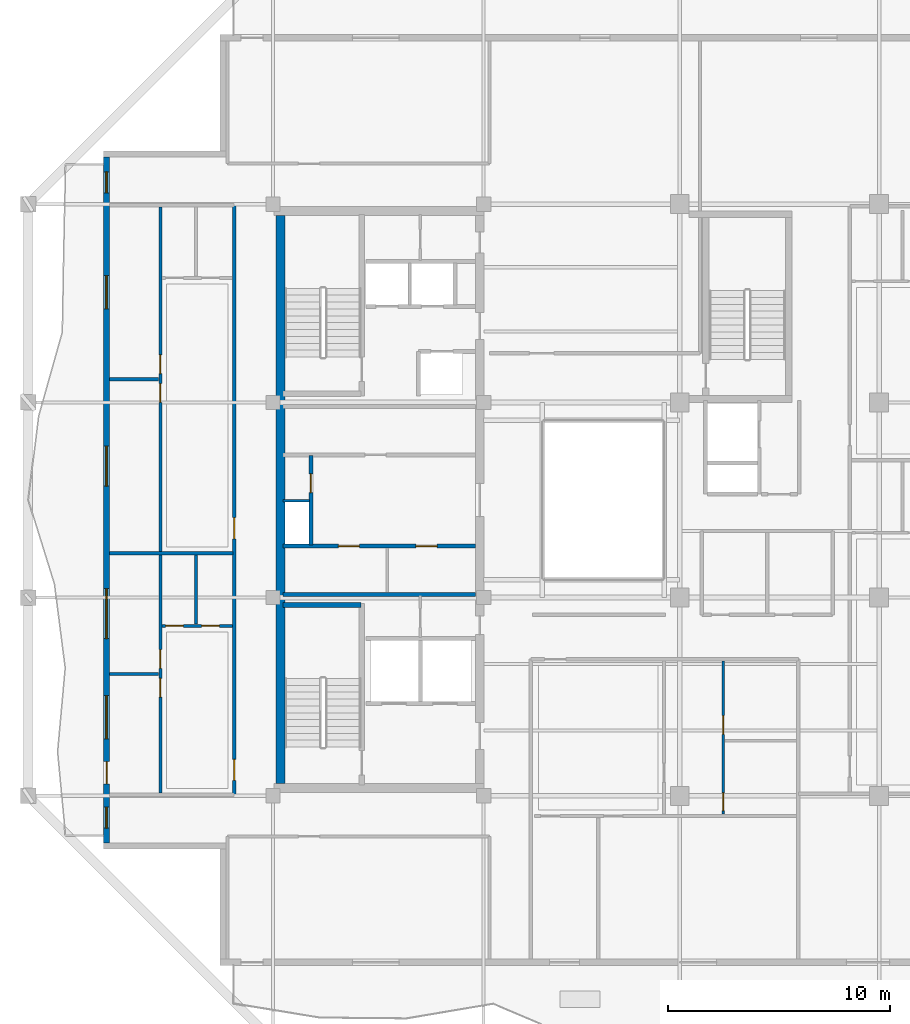
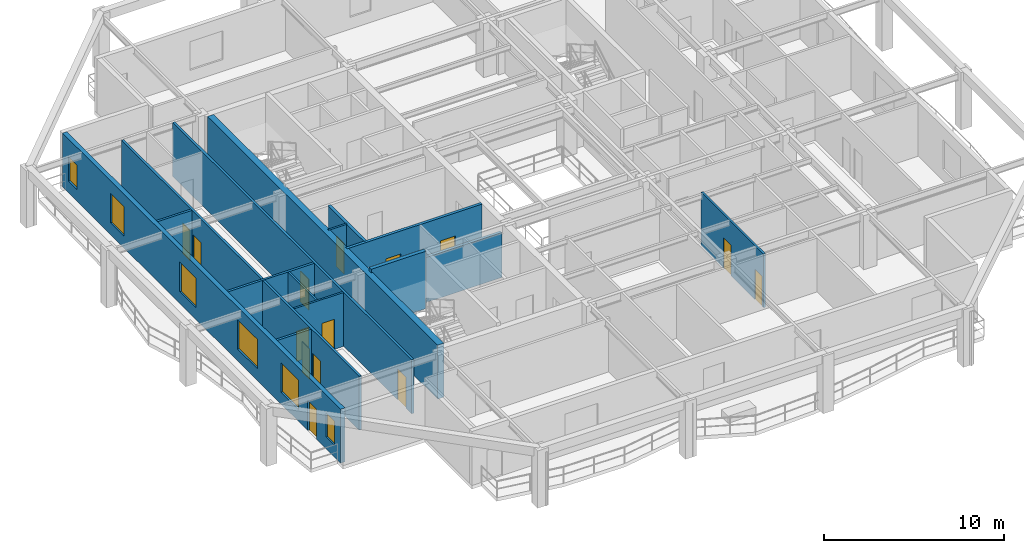
# One storey, part 3 of 12: 16 walls, 14 doors, 6 windows, 20 openings.
"""IFC4 building model written with IfcOpenShell, lengths in metres."""

from ifc_helpers import new_model, si_unit, direction, frame, frame_2d, origin, place, context, subcontext, project, spatial, rectangle, extrude, material, layer, layer_set, type_object, element, fill, save


model = new_model("IFC4")

# Units and contexts
model_context = context("Model", 3, precision=1e-05, world=origin(), true_north=direction((0.0, 1.0)))
body_context = subcontext(model_context, "Body", "Model", "MODEL_VIEW")
ifc_project = project(units=[si_unit("LENGTHUNIT", "METRE"), si_unit("AREAUNIT", "SQUARE_METRE"), si_unit("VOLUMEUNIT", "CUBIC_METRE"), si_unit("PLANEANGLEUNIT", "RADIAN"), si_unit("MASSUNIT", "GRAM", prefix="KILO")], contexts=[model_context])

# Site, building, storey
site_placement = place(None, origin())
site = spatial("IfcSite", under=ifc_project, at=site_placement, CompositionType="ELEMENT")
building_placement = place(site_placement, origin())
building = spatial("IfcBuilding", under=site, at=building_placement, Name="Kundavana Baori Tower", CompositionType="ELEMENT")
storey_placement = place(building_placement, frame((0.0, 0.0, 237.5)))
storey = spatial("IfcBuildingStorey", under=building, at=storey_placement, Name="L58", CompositionType="ELEMENT", Elevation=237.5)

# Walls
ifc_material_1 = material(Name="Concrete C50/60", Category="concrete")
ifc_layer_1 = layer(ifc_material_1, 0.39990234375, Name="WL-CORE-400")
ifc_layer_set_1 = layer_set([ifc_layer_1], Name="Concrete C50/60")
wall_type_1 = type_object("IfcWallType", Name="WL-CORE-400", PredefinedType="SHEAR", material=ifc_layer_set_1)
wall_1_placement = place(storey_placement, frame((15.7900390625, 15.81005859375, 0.0), z_axis=(0.0, 0.0, 1.0), x_axis=(0.0, 1.0, 0.0)))
element("IfcWall", 1, at=wall_1_placement, inside=storey, type_object=wall_type_1, Name="L58 Offset Core West Shear Wall", PredefinedType="SHEAR", context=body_context, shape_type="SweptSolid", body=[
    extrude(rectangle(XDim=25.6298828125, YDim=0.39990234375, at=frame_2d((12.81494140625, 0.0))), origin(), (0.0, 0.0, 1.0), 3.659912109375),
])
wall_2_placement = place(storey_placement, frame((15.89990234375, 23.860107421875, 0.0), z_axis=(0.0, 0.0, 1.0), x_axis=(1.0, 0.0, 0.0)))
element("IfcWall", 2, at=wall_2_placement, inside=storey, type_object=wall_type_1, Name="WL-L58-ST1-N", PredefinedType="SHEAR", context=body_context, shape_type="SweptSolid", body=[
    extrude(rectangle(XDim=3.52001953125, YDim=0.239990234375, at=frame_2d((1.760009765625, 0.0))), origin(), (0.0, 0.0, 1.0), 3.89990234375),
])

# Wall, openings, door, windows
ifc_material_2 = material(Name="Red-Buff Dholpur Sandstone Cladding on Concrete C40/50", Category="masonry")
ifc_layer_2 = layer(ifc_material_2, 0.280029296875, Name="WL-EXT-SAND-280")
ifc_layer_set_2 = layer_set([ifc_layer_2], Name="Red-Buff Dholpur Sandstone Cladding on Concrete C40/50")
wall_type_2 = type_object("IfcWallType", Name="WL-EXT-SAND-280", PredefinedType="STANDARD", material=ifc_layer_set_2)
wall_3_placement = place(storey_placement, frame((7.93994140625, 44.070068359375, 0.0), z_axis=(0.0, 0.0, 1.0), x_axis=(0.0, -1.0, 0.0)))
wall_3 = element("IfcWall", 3, at=wall_3_placement, inside=storey, type_object=wall_type_2, Name="L58 Exterior Insulated Facade Wall 10", PredefinedType="STANDARD", context=body_context, shape_type="SweptSolid", body=[
    extrude(rectangle(XDim=30.940185546875, YDim=0.280029296875, at=frame_2d((15.47021484375, 0.0))), origin(), (0.0, 0.0, 1.0), 3.659912109375),
])
opening_1_placement = place(wall_3_placement, frame((29.324951171875, 0.0, 0.800048828125)))
opening_1 = element("IfcOpeningElement", 4, at=opening_1_placement, cuts=wall_3, Name="Opening W-13", PredefinedType="OPENING", context=body_context, shape_type="SweptSolid", body=[
    extrude(rectangle(XDim=0.949951171875, YDim=1.64990234375, at=frame_2d((0.47509765625, 0.824951171875))), frame((0.0, 0.14990234375, 0.0), z_axis=(0.0, -1.0, 0.0), x_axis=(1.0, 0.0, 0.0)), (0.0, 0.0, 1.0), 0.300048828125),
])
opening_2_placement = place(wall_3_placement, frame((27.280029296875, 0.0, 0.0)))
opening_2 = element("IfcOpeningElement", 5, at=opening_2_placement, cuts=wall_3, Name="Opening BD-1", PredefinedType="OPENING", context=body_context, shape_type="SweptSolid", body=[
    extrude(rectangle(XDim=1.0, YDim=2.050048828125, at=frame_2d((0.5, 1.02490234375))), frame((0.0, 0.14990234375, 0.0), z_axis=(0.0, -1.0, 0.0), x_axis=(1.0, 0.0, 0.0)), (0.0, 0.0, 1.0), 0.300048828125),
])
opening_3_placement = place(wall_3_placement, frame((24.294921875, 0.0, 0.800048828125)))
opening_3 = element("IfcOpeningElement", 6, at=opening_3_placement, cuts=wall_3, Name="Opening W-09", PredefinedType="OPENING", context=body_context, shape_type="SweptSolid", body=[
    extrude(rectangle(XDim=1.949951171875, YDim=2.0, at=frame_2d((0.97509765625, 1.0))), frame((0.0, 0.14990234375, 0.0), z_axis=(0.0, -1.0, 0.0), x_axis=(1.0, 0.0, 0.0)), (0.0, 0.0, 1.0), 0.300048828125),
])
opening_4_placement = place(wall_3_placement, frame((19.469970703125, 0.0, 0.800048828125)))
opening_4 = element("IfcOpeningElement", 7, at=opening_4_placement, cuts=wall_3, Name="Opening W-10", PredefinedType="OPENING", context=body_context, shape_type="SweptSolid", body=[
    extrude(rectangle(XDim=2.25, YDim=2.0, at=frame_2d((1.125, 1.0))), frame((0.0, 0.14990234375, 0.0), z_axis=(0.0, -1.0, 0.0), x_axis=(1.0, 0.0, 0.0)), (0.0, 0.0, 1.0), 0.300048828125),
])
opening_5_placement = place(wall_3_placement, frame((13.044921875, 0.0, 0.800048828125)))
opening_5 = element("IfcOpeningElement", 8, at=opening_5_placement, cuts=wall_3, Name="Opening W-01", PredefinedType="OPENING", context=body_context, shape_type="SweptSolid", body=[
    extrude(rectangle(XDim=1.800048828125, YDim=2.0, at=frame_2d((0.89990234375, 1.0))), frame((0.0, 0.14990234375, 0.0), z_axis=(0.0, -1.0, 0.0), x_axis=(1.0, 0.0, 0.0)), (0.0, 0.0, 1.0), 0.300048828125),
])
opening_6_placement = place(wall_3_placement, frame((5.344970703125, 0.0, 0.800048828125)))
opening_6 = element("IfcOpeningElement", 9, at=opening_6_placement, cuts=wall_3, Name="Opening W-02", PredefinedType="OPENING", context=body_context, shape_type="SweptSolid", body=[
    extrude(rectangle(XDim=1.5, YDim=2.0, at=frame_2d((0.75, 1.0))), frame((0.0, 0.14990234375, 0.0), z_axis=(0.0, -1.0, 0.0), x_axis=(1.0, 0.0, 0.0)), (0.0, 0.0, 1.0), 0.300048828125),
])
opening_7_placement = place(wall_3_placement, frame((0.6650390625, 0.0, 0.800048828125)))
opening_7 = element("IfcOpeningElement", 10, at=opening_7_placement, cuts=wall_3, Name="Opening W-13", PredefinedType="OPENING", context=body_context, shape_type="SweptSolid", body=[
    extrude(rectangle(XDim=0.949951171875, YDim=1.64990234375, at=frame_2d((0.47509765625, 0.824951171875))), frame((0.0, 0.14990234375, 0.0), z_axis=(0.0, -1.0, 0.0), x_axis=(1.0, 0.0, 0.0)), (0.0, 0.0, 1.0), 0.300048828125),
])
ifc_material_3 = material(Name="Architectural Patinated Bronze Metalwork")
door_type_1 = type_object("IfcDoorType", Name="DR-EXT-LOG-1000", OperationType="NOTDEFINED", PredefinedType="DOOR", material=ifc_material_3)
door_1_placement = place(opening_2_placement, frame((1.0, 0.0, 0.0), z_axis=(0.0, 0.0, 1.0), x_axis=(-1.0, 0.0, 0.0)))
door_1 = element("IfcDoor", 11, at=door_1_placement, inside=storey, type_object=door_type_1, Name="L58 Loggia Balcony Access Door W", OperationType="SINGLE_SWING_LEFT", OverallHeight=2.050048828125, OverallWidth=1.0, PredefinedType="DOOR", context=body_context, shape_type="SweptSolid", body=[
    extrude(rectangle(XDim=1.0, YDim=2.050048828125, at=frame_2d((0.5, 1.02490234375))), frame((0.0, 0.02490234375, 0.0), z_axis=(0.0, -1.0, 0.0), x_axis=(1.0, 0.0, 0.0)), (0.0, 0.0, 1.0), 0.050048828125),
])
fill(opening_2, door_1)
ifc_material_4 = material(Name="Double-Glazed Solar-Control Low-E Insulated Glass", Category="glass")
window_type_1 = type_object("IfcWindowType", Name="WIN-LOG-1500x2000", PartitioningType="SINGLE_PANEL", PredefinedType="WINDOW", material=ifc_material_4)
window_1_placement = place(opening_6_placement, origin())
window_1 = element("IfcWindow", 12, at=window_1_placement, inside=storey, type_object=window_type_1, Name="L58 Recessed Loggia Window W-5", OverallHeight=2.0, OverallWidth=1.5, PartitioningType="SINGLE_PANEL", PredefinedType="WINDOW", context=body_context, shape_type="SweptSolid", body=[
    extrude(rectangle(XDim=1.5, YDim=2.0, at=frame_2d((0.75, 1.0))), frame((0.0, 0.030029296875, 0.0), z_axis=(0.0, -1.0, 0.0), x_axis=(1.0, 0.0, 0.0)), (0.0, 0.0, 1.0), 0.06005859375),
])
fill(opening_6, window_1)
ifc_material_5 = material(Name="Double-Glazed Solar-Control Low-E Insulated Glass", Category="glass")
window_type_2 = type_object("IfcWindowType", Name="WIN-LOG-1800x2000", PartitioningType="SINGLE_PANEL", PredefinedType="WINDOW", material=ifc_material_5)
window_2_placement = place(opening_5_placement, origin())
window_2 = element("IfcWindow", 13, at=window_2_placement, inside=storey, type_object=window_type_2, Name="L58 Recessed Loggia Window W-4", OverallHeight=2.0, OverallWidth=1.800048828125, PartitioningType="SINGLE_PANEL", PredefinedType="WINDOW", context=body_context, shape_type="SweptSolid", body=[
    extrude(rectangle(XDim=1.800048828125, YDim=2.0, at=frame_2d((0.89990234375, 1.0))), frame((0.0, 0.030029296875, 0.0), z_axis=(0.0, -1.0, 0.0), x_axis=(1.0, 0.0, 0.0)), (0.0, 0.0, 1.0), 0.06005859375),
])
fill(opening_5, window_2)
ifc_material_6 = material(Name="Double-Glazed Solar-Control Low-E Insulated Glass", Category="glass")
window_type_3 = type_object("IfcWindowType", Name="WIN-LOG-1950x2000", PartitioningType="SINGLE_PANEL", PredefinedType="WINDOW", material=ifc_material_6)
window_3_placement = place(opening_3_placement, origin())
window_3 = element("IfcWindow", 14, at=window_3_placement, inside=storey, type_object=window_type_3, Name="L58 Recessed Loggia Window W-2", OverallHeight=2.0, OverallWidth=1.949951171875, PartitioningType="SINGLE_PANEL", PredefinedType="WINDOW", context=body_context, shape_type="SweptSolid", body=[
    extrude(rectangle(XDim=1.949951171875, YDim=2.0, at=frame_2d((0.97509765625, 1.0))), frame((0.0, 0.030029296875, 0.0), z_axis=(0.0, -1.0, 0.0), x_axis=(1.0, 0.0, 0.0)), (0.0, 0.0, 1.0), 0.06005859375),
])
fill(opening_3, window_3)
ifc_material_7 = material(Name="Double-Glazed Solar-Control Low-E Insulated Glass", Category="glass")
window_type_4 = type_object("IfcWindowType", Name="WIN-LOG-2250x2000", PartitioningType="SINGLE_PANEL", PredefinedType="WINDOW", material=ifc_material_7)
window_4_placement = place(opening_4_placement, origin())
window_4 = element("IfcWindow", 15, at=window_4_placement, inside=storey, type_object=window_type_4, Name="L58 Recessed Loggia Window W-3", OverallHeight=2.0, OverallWidth=2.25, PartitioningType="SINGLE_PANEL", PredefinedType="WINDOW", context=body_context, shape_type="SweptSolid", body=[
    extrude(rectangle(XDim=2.25, YDim=2.0, at=frame_2d((1.125, 1.0))), frame((0.0, 0.030029296875, 0.0), z_axis=(0.0, -1.0, 0.0), x_axis=(1.0, 0.0, 0.0)), (0.0, 0.0, 1.0), 0.06005859375),
])
fill(opening_4, window_4)
ifc_material_8 = material(Name="Double-Glazed Solar-Control Low-E Insulated Glass", Category="glass")
window_type_5 = type_object("IfcWindowType", Name="WIN-LOG-950x1650", PartitioningType="SINGLE_PANEL", PredefinedType="WINDOW", material=ifc_material_8)
window_5_placement = place(opening_1_placement, origin())
window_5 = element("IfcWindow", 16, at=window_5_placement, inside=storey, type_object=window_type_5, Name="L58 Recessed Loggia Window W-1", OverallHeight=1.64990234375, OverallWidth=0.949951171875, PartitioningType="SINGLE_PANEL", PredefinedType="WINDOW", context=body_context, shape_type="SweptSolid", body=[
    extrude(rectangle(XDim=0.949951171875, YDim=1.64990234375, at=frame_2d((0.47509765625, 0.824951171875))), frame((0.0, 0.030029296875, 0.0), z_axis=(0.0, -1.0, 0.0), x_axis=(1.0, 0.0, 0.0)), (0.0, 0.0, 1.0), 0.06005859375),
])
fill(opening_1, window_5)
window_6_placement = place(opening_7_placement, origin())
window_6 = element("IfcWindow", 17, at=window_6_placement, inside=storey, type_object=window_type_5, Name="L58 Recessed Loggia Window W-6", OverallHeight=1.64990234375, OverallWidth=0.949951171875, PartitioningType="SINGLE_PANEL", PredefinedType="WINDOW", context=body_context, shape_type="SweptSolid", body=[
    extrude(rectangle(XDim=0.949951171875, YDim=1.64990234375, at=frame_2d((0.47509765625, 0.824951171875))), frame((0.0, 0.030029296875, 0.0), z_axis=(0.0, -1.0, 0.0), x_axis=(1.0, 0.0, 0.0)), (0.0, 0.0, 1.0), 0.06005859375),
])
fill(opening_7, window_6)

# Wall
ifc_material_9 = material(Name="Acoustic Gypsum Plasterboard on Galvanised Steel Studs", Category="steel")
ifc_layer_3 = layer(ifc_material_9, 0.1201171875, Name="WL-PART-120")
ifc_layer_set_3 = layer_set([ifc_layer_3], Name="Acoustic Gypsum Plasterboard on Galvanised Steel Studs")
wall_type_3 = type_object("IfcWallType", Name="WL-PART-120", PredefinedType="PARTITIONING", material=ifc_layer_set_3)
wall_4_placement = place(storey_placement, frame((15.89990234375, 28.56005859375, 0.0), z_axis=(0.0, 0.0, 1.0), x_axis=(1.0, 0.0, 0.0)))
element("IfcWall", 18, at=wall_4_placement, inside=storey, type_object=wall_type_3, Name="WL-L58-RSRW-N", PredefinedType="PARTITIONING", context=body_context, shape_type="SweptSolid", body=[
    extrude(rectangle(XDim=1.2001953125, YDim=0.1201171875, at=frame_2d((0.60009765625, 0.0))), origin(), (0.0, 0.0, 1.0), 3.659912109375),
])

# Wall, openings, doors
ifc_material_10 = material(Name="Fire-Rated Gypsum Drywall on Galvanised Steel Studs", Category="steel")
ifc_layer_4 = layer(ifc_material_10, 0.14990234375, Name="WL-PART-150")
ifc_layer_set_4 = layer_set([ifc_layer_4], Name="Fire-Rated Gypsum Drywall on Galvanised Steel Studs")
wall_type_4 = type_object("IfcWallType", Name="WL-PART-150", PredefinedType="PARTITIONING", material=ifc_layer_set_4)
wall_5_placement = place(storey_placement, frame((13.699951171875, 15.300048828125, 0.0), z_axis=(0.0, 0.0, 1.0), x_axis=(0.0, 1.0, 0.0)))
wall_5 = element("IfcWall", 19, at=wall_5_placement, inside=storey, type_object=wall_type_4, Name="WL-L58-RW", PredefinedType="PARTITIONING", context=body_context, shape_type="SweptSolid", body=[
    extrude(rectangle(XDim=26.599853515625, YDim=0.14990234375, at=frame_2d((13.2998046875, 0.0))), origin(), (0.0, 0.0, 1.0), 3.659912109375),
])
opening_8_placement = place(wall_5_placement, frame((0.64990234375, 0.0, 0.0)))
opening_8 = element("IfcOpeningElement", 20, at=opening_8_placement, cuts=wall_5, Name="Opening FD-095", PredefinedType="OPENING", context=body_context, shape_type="SweptSolid", body=[
    extrude(rectangle(XDim=0.949951171875, YDim=2.10009765625, at=frame_2d((0.47509765625, 1.050048828125))), frame((0.0, 0.0849609375, 0.0), z_axis=(0.0, -1.0, 0.0), x_axis=(1.0, 0.0, 0.0)), (0.0, 0.0, 1.0), 0.169921875),
])
opening_9_placement = place(wall_5_placement, frame((11.550048828125, 0.0, 0.0)))
opening_9 = element("IfcOpeningElement", 21, at=opening_9_placement, cuts=wall_5, Name="Opening FD-095", PredefinedType="OPENING", context=body_context, shape_type="SweptSolid", body=[
    extrude(rectangle(XDim=0.949951171875, YDim=2.10009765625, at=frame_2d((0.47509765625, 1.050048828125))), frame((0.0, 0.0849609375, 0.0), z_axis=(0.0, -1.0, 0.0), x_axis=(1.0, 0.0, 0.0)), (0.0, 0.0, 1.0), 0.169921875),
])
ifc_material_11 = material(Name="Engineered Teak Fire-Rated Timber Door Leaf", Category="wood")
door_type_2 = type_object("IfcDoorType", Name="DR-FD60-950", OperationType="NOTDEFINED", PredefinedType="DOOR", material=ifc_material_11)
door_2_placement = place(opening_8_placement, frame((0.949951171875, 0.0, 0.0), z_axis=(0.0, 0.0, 1.0), x_axis=(-1.0, 0.0, 0.0)))
door_2 = element("IfcDoor", 22, at=door_2_placement, inside=storey, type_object=door_type_2, Name="DR-L58-W1-ENT", OperationType="SINGLE_SWING_LEFT", OverallHeight=2.10009765625, OverallWidth=0.949951171875, PredefinedType="DOOR", context=body_context, shape_type="SweptSolid", body=[
    extrude(rectangle(XDim=0.949951171875, YDim=2.10009765625, at=frame_2d((0.47509765625, 1.050048828125))), frame((0.0, 0.02490234375, 0.0), z_axis=(0.0, -1.0, 0.0), x_axis=(1.0, 0.0, 0.0)), (0.0, 0.0, 1.0), 0.050048828125),
])
fill(opening_8, door_2)
door_3_placement = place(opening_9_placement, frame((0.949951171875, 0.0, 0.0), z_axis=(0.0, 0.0, 1.0), x_axis=(-1.0, 0.0, 0.0)))
door_3 = element("IfcDoor", 23, at=door_3_placement, inside=storey, type_object=door_type_2, Name="DR-L58-W2-ENT", OperationType="SINGLE_SWING_LEFT", OverallHeight=2.10009765625, OverallWidth=0.949951171875, PredefinedType="DOOR", context=body_context, shape_type="SweptSolid", body=[
    extrude(rectangle(XDim=0.949951171875, YDim=2.10009765625, at=frame_2d((0.47509765625, 1.050048828125))), frame((0.0, 0.02490234375, 0.0), z_axis=(0.0, -1.0, 0.0), x_axis=(1.0, 0.0, 0.0)), (0.0, 0.0, 1.0), 0.050048828125),
])
fill(opening_9, door_3)

wall_6_placement = place(storey_placement, frame((10.3701171875, 15.3798828125, 0.0), z_axis=(0.0, 0.0, 1.0), x_axis=(0.0, 1.0, 0.0)))
wall_6 = element("IfcWall", 24, at=wall_6_placement, inside=storey, type_object=wall_type_4, Name="WL-L58-W1-VT", PredefinedType="PARTITIONING", context=body_context, shape_type="SweptSolid", body=[
    extrude(rectangle(XDim=10.740234375, YDim=0.14990234375, at=frame_2d((5.3701171875, 0.0))), origin(), (0.0, 0.0, 1.0), 3.659912109375),
])
opening_10_placement = place(wall_6_placement, frame((4.320068359375, 0.0, 0.0)))
opening_10 = element("IfcOpeningElement", 25, at=opening_10_placement, cuts=wall_6, Name="Opening ID-085", PredefinedType="OPENING", context=body_context, shape_type="SweptSolid", body=[
    extrude(rectangle(XDim=0.85009765625, YDim=2.080078125, at=frame_2d((0.425048828125, 1.0400390625))), frame((0.0, 0.0849609375, 0.0), z_axis=(0.0, -1.0, 0.0), x_axis=(1.0, 0.0, 0.0)), (0.0, 0.0, 1.0), 0.169921875),
])
opening_11_placement = place(wall_6_placement, frame((5.6201171875, 0.0, 0.0)))
opening_11 = element("IfcOpeningElement", 26, at=opening_11_placement, cuts=wall_6, Name="Opening ID-085", PredefinedType="OPENING", context=body_context, shape_type="SweptSolid", body=[
    extrude(rectangle(XDim=0.85009765625, YDim=2.080078125, at=frame_2d((0.425048828125, 1.0400390625))), frame((0.0, 0.0849609375, 0.0), z_axis=(0.0, -1.0, 0.0), x_axis=(1.0, 0.0, 0.0)), (0.0, 0.0, 1.0), 0.169921875),
])
ifc_material_12 = material(Name="Engineered Teak Solid-Core Timber Veneer", Category="wood")
door_type_3 = type_object("IfcDoorType", Name="DR-INT-850", OperationType="NOTDEFINED", PredefinedType="DOOR", material=ifc_material_12)
door_4_placement = place(opening_10_placement, frame((0.85009765625, 0.0, 0.0), z_axis=(0.0, 0.0, 1.0), x_axis=(-1.0, 0.0, 0.0)))
door_4 = element("IfcDoor", 27, at=door_4_placement, inside=storey, type_object=door_type_3, Name="DR-L58-W1-B1", OperationType="SINGLE_SWING_LEFT", OverallHeight=2.080078125, OverallWidth=0.85009765625, PredefinedType="DOOR", context=body_context, shape_type="SweptSolid", body=[
    extrude(rectangle(XDim=0.85009765625, YDim=2.080078125, at=frame_2d((0.425048828125, 1.0400390625))), frame((0.0, 0.02490234375, 0.0), z_axis=(0.0, -1.0, 0.0), x_axis=(1.0, 0.0, 0.0)), (0.0, 0.0, 1.0), 0.050048828125),
])
fill(opening_10, door_4)
door_5_placement = place(opening_11_placement, frame((0.85009765625, 0.0, 0.0), z_axis=(0.0, 0.0, 1.0), x_axis=(-1.0, 0.0, 0.0)))
door_5 = element("IfcDoor", 28, at=door_5_placement, inside=storey, type_object=door_type_3, Name="DR-L58-W1-B2", OperationType="SINGLE_SWING_RIGHT", OverallHeight=2.080078125, OverallWidth=0.85009765625, PredefinedType="DOOR", context=body_context, shape_type="SweptSolid", body=[
    extrude(rectangle(XDim=0.85009765625, YDim=2.080078125, at=frame_2d((0.425048828125, 1.0400390625))), frame((0.0, 0.02490234375, 0.0), z_axis=(0.0, -1.0, 0.0), x_axis=(1.0, 0.0, 0.0)), (0.0, 0.0, 1.0), 0.050048828125),
])
fill(opening_11, door_5)

# Walls
wall_7_placement = place(storey_placement, frame((8.080078125, 20.75, 0.0), z_axis=(0.0, 0.0, 1.0), x_axis=(1.0, 0.0, 0.0)))
element("IfcWall", 29, at=wall_7_placement, inside=storey, type_object=wall_type_4, Name="WL-L58-W1-BDH", PredefinedType="PARTITIONING", context=body_context, shape_type="SweptSolid", body=[
    extrude(rectangle(XDim=2.2099609375, YDim=0.14990234375, at=frame_2d((1.10498046875, 0.0))), origin(), (0.0, 0.0, 1.0), 3.659912109375),
])
wall_8_placement = place(storey_placement, frame((8.080078125, 26.199951171875, 0.0), z_axis=(0.0, 0.0, 1.0), x_axis=(1.0, 0.0, 0.0)))
element("IfcWall", 30, at=wall_8_placement, inside=storey, type_object=wall_type_4, Name="WL-L58-RWD1", PredefinedType="PARTITIONING", context=body_context, shape_type="SweptSolid", body=[
    extrude(rectangle(XDim=5.559814453125, YDim=0.14990234375, at=frame_2d((2.77978515625, 0.0))), origin(), (0.0, 0.0, 1.0), 3.659912109375),
])

# Wall, openings, doors
wall_9_placement = place(storey_placement, frame((10.3701171875, 26.280029296875, 0.0), z_axis=(0.0, 0.0, 1.0), x_axis=(0.0, 1.0, 0.0)))
wall_9 = element("IfcWall", 31, at=wall_9_placement, inside=storey, type_object=wall_type_4, Name="WL-L58-W2-VT", PredefinedType="PARTITIONING", context=body_context, shape_type="SweptSolid", body=[
    extrude(rectangle(XDim=15.5400390625, YDim=0.14990234375, at=frame_2d((7.77001953125, 0.0))), origin(), (0.0, 0.0, 1.0), 3.659912109375),
])
opening_12_placement = place(wall_9_placement, frame((6.719970703125, 0.0, 0.0)))
opening_12 = element("IfcOpeningElement", 32, at=opening_12_placement, cuts=wall_9, Name="Opening ID-085", PredefinedType="OPENING", context=body_context, shape_type="SweptSolid", body=[
    extrude(rectangle(XDim=0.85009765625, YDim=2.080078125, at=frame_2d((0.425048828125, 1.0400390625))), frame((0.0, 0.0849609375, 0.0), z_axis=(0.0, -1.0, 0.0), x_axis=(1.0, 0.0, 0.0)), (0.0, 0.0, 1.0), 0.169921875),
])
opening_13_placement = place(wall_9_placement, frame((8.02001953125, 0.0, 0.0)))
opening_13 = element("IfcOpeningElement", 33, at=opening_13_placement, cuts=wall_9, Name="Opening ID-085", PredefinedType="OPENING", context=body_context, shape_type="SweptSolid", body=[
    extrude(rectangle(XDim=0.85009765625, YDim=2.080078125, at=frame_2d((0.425048828125, 1.0400390625))), frame((0.0, 0.0849609375, 0.0), z_axis=(0.0, -1.0, 0.0), x_axis=(1.0, 0.0, 0.0)), (0.0, 0.0, 1.0), 0.169921875),
])
door_6_placement = place(opening_12_placement, frame((0.85009765625, 0.0, 0.0), z_axis=(0.0, 0.0, 1.0), x_axis=(-1.0, 0.0, 0.0)))
door_6 = element("IfcDoor", 34, at=door_6_placement, inside=storey, type_object=door_type_3, Name="DR-L58-W2-B1", OperationType="SINGLE_SWING_LEFT", OverallHeight=2.080078125, OverallWidth=0.85009765625, PredefinedType="DOOR", context=body_context, shape_type="SweptSolid", body=[
    extrude(rectangle(XDim=0.85009765625, YDim=2.080078125, at=frame_2d((0.425048828125, 1.0400390625))), frame((0.0, 0.02490234375, 0.0), z_axis=(0.0, -1.0, 0.0), x_axis=(1.0, 0.0, 0.0)), (0.0, 0.0, 1.0), 0.050048828125),
])
fill(opening_12, door_6)
door_7_placement = place(opening_13_placement, frame((0.85009765625, 0.0, 0.0), z_axis=(0.0, 0.0, 1.0), x_axis=(-1.0, 0.0, 0.0)))
door_7 = element("IfcDoor", 35, at=door_7_placement, inside=storey, type_object=door_type_3, Name="DR-L58-W2-B2", OperationType="SINGLE_SWING_RIGHT", OverallHeight=2.080078125, OverallWidth=0.85009765625, PredefinedType="DOOR", context=body_context, shape_type="SweptSolid", body=[
    extrude(rectangle(XDim=0.85009765625, YDim=2.080078125, at=frame_2d((0.425048828125, 1.0400390625))), frame((0.0, 0.02490234375, 0.0), z_axis=(0.0, -1.0, 0.0), x_axis=(1.0, 0.0, 0.0)), (0.0, 0.0, 1.0), 0.050048828125),
])
fill(opening_13, door_7)

# Wall
wall_10_placement = place(storey_placement, frame((8.080078125, 34.050048828125, 0.0), z_axis=(0.0, 0.0, 1.0), x_axis=(1.0, 0.0, 0.0)))
element("IfcWall", 36, at=wall_10_placement, inside=storey, type_object=wall_type_4, Name="WL-L58-W2-BDH", PredefinedType="PARTITIONING", context=body_context, shape_type="SweptSolid", body=[
    extrude(rectangle(XDim=2.2099609375, YDim=0.14990234375, at=frame_2d((1.10498046875, 0.0))), origin(), (0.0, 0.0, 1.0), 3.659912109375),
])

# Wall, openings, doors
ifc_material_13 = material(Name="Autoclaved Aerated Concrete Blockwork Masonry", Category="masonry")
ifc_layer_5 = layer(ifc_material_13, 0.179931640625, Name="WL-SHAFT-180")
ifc_layer_set_5 = layer_set([ifc_layer_5], Name="Autoclaved Aerated Concrete Blockwork Masonry")
wall_type_5 = type_object("IfcWallType", Name="WL-SHAFT-180", PredefinedType="SOLIDWALL", material=ifc_layer_set_5)
wall_11_placement = place(storey_placement, frame((15.89990234375, 26.52001953125, 0.0), z_axis=(0.0, 0.0, 1.0), x_axis=(1.0, 0.0, 0.0)))
wall_11 = element("IfcWall", 37, at=wall_11_placement, inside=storey, type_object=wall_type_5, Name="WL-L58-LPLOW-N", PredefinedType="SOLIDWALL", context=body_context, shape_type="SweptSolid", body=[
    extrude(rectangle(XDim=8.68017578125, YDim=0.179931640625, at=frame_2d((4.340087890625, 0.0))), origin(), (0.0, 0.0, 1.0), 3.659912109375),
])
opening_14_placement = place(wall_11_placement, frame((2.5, 0.0, 0.0)))
opening_14 = element("IfcOpeningElement", 38, at=opening_14_placement, cuts=wall_11, Name="Opening FD-095", PredefinedType="OPENING", context=body_context, shape_type="SweptSolid", body=[
    extrude(rectangle(XDim=0.949951171875, YDim=2.10009765625, at=frame_2d((0.47509765625, 1.050048828125))), frame((0.0, 0.10009765625, 0.0), z_axis=(0.0, -1.0, 0.0), x_axis=(1.0, 0.0, 0.0)), (0.0, 0.0, 1.0), 0.199951171875),
])
opening_15_placement = place(wall_11_placement, frame((6.0, 0.0, 0.0)))
opening_15 = element("IfcOpeningElement", 39, at=opening_15_placement, cuts=wall_11, Name="Opening FD-095", PredefinedType="OPENING", context=body_context, shape_type="SweptSolid", body=[
    extrude(rectangle(XDim=0.949951171875, YDim=2.10009765625, at=frame_2d((0.47509765625, 1.050048828125))), frame((0.0, 0.10009765625, 0.0), z_axis=(0.0, -1.0, 0.0), x_axis=(1.0, 0.0, 0.0)), (0.0, 0.0, 1.0), 0.199951171875),
])
door_8_placement = place(opening_14_placement, origin())
door_8 = element("IfcDoor", 40, at=door_8_placement, inside=storey, type_object=door_type_2, Name="DR-L58-FRLOW1", OperationType="SINGLE_SWING_LEFT", OverallHeight=2.10009765625, OverallWidth=0.949951171875, PredefinedType="DOOR", context=body_context, shape_type="SweptSolid", body=[
    extrude(rectangle(XDim=0.949951171875, YDim=2.10009765625, at=frame_2d((0.47509765625, 1.050048828125))), frame((0.0, 0.02490234375, 0.0), z_axis=(0.0, -1.0, 0.0), x_axis=(1.0, 0.0, 0.0)), (0.0, 0.0, 1.0), 0.050048828125),
])
fill(opening_14, door_8)
door_9_placement = place(opening_15_placement, origin())
door_9 = element("IfcDoor", 41, at=door_9_placement, inside=storey, type_object=door_type_2, Name="DR-L58-FRLOW2", OperationType="SINGLE_SWING_RIGHT", OverallHeight=2.10009765625, OverallWidth=0.949951171875, PredefinedType="DOOR", context=body_context, shape_type="SweptSolid", body=[
    extrude(rectangle(XDim=0.949951171875, YDim=2.10009765625, at=frame_2d((0.47509765625, 1.050048828125))), frame((0.0, 0.02490234375, 0.0), z_axis=(0.0, -1.0, 0.0), x_axis=(1.0, 0.0, 0.0)), (0.0, 0.0, 1.0), 0.050048828125),
])
fill(opening_15, door_9)

# Wall
wall_12_placement = place(storey_placement, frame((15.89990234375, 24.330078125, 0.0), z_axis=(0.0, 0.0, 1.0), x_axis=(1.0, 0.0, 0.0)))
element("IfcWall", 42, at=wall_12_placement, inside=storey, type_object=wall_type_5, Name="WL-L58-LPLOW-S", PredefinedType="SOLIDWALL", context=body_context, shape_type="SweptSolid", body=[
    extrude(rectangle(XDim=8.68017578125, YDim=0.179931640625, at=frame_2d((4.340087890625, 0.0))), origin(), (0.0, 0.0, 1.0), 3.06005859375),
])

# Wall, opening, door
wall_13_placement = place(storey_placement, frame((17.159912109375, 26.580078125, 0.0), z_axis=(0.0, 0.0, 1.0), x_axis=(0.0, 1.0, 0.0)))
wall_13 = element("IfcWall", 43, at=wall_13_placement, inside=storey, type_object=wall_type_5, Name="WL-L58-RSRW-E", PredefinedType="SOLIDWALL", context=body_context, shape_type="SweptSolid", body=[
    extrude(rectangle(XDim=4.02001953125, YDim=0.179931640625, at=frame_2d((2.010009765625, 0.0))), origin(), (0.0, 0.0, 1.0), 3.659912109375),
])
opening_16_placement = place(wall_13_placement, frame((2.35009765625, 0.0, 0.0)))
opening_16 = element("IfcOpeningElement", 44, at=opening_16_placement, cuts=wall_13, Name="Opening FD-085", PredefinedType="OPENING", context=body_context, shape_type="SweptSolid", body=[
    extrude(rectangle(XDim=0.85009765625, YDim=2.06005859375, at=frame_2d((0.425048828125, 1.030029296875))), frame((0.0, 0.10009765625, 0.0), z_axis=(0.0, -1.0, 0.0), x_axis=(1.0, 0.0, 0.0)), (0.0, 0.0, 1.0), 0.199951171875),
])
ifc_material_14 = material(Name="Galvanised Steel Fire-Rated Door Leaf", Category="steel")
door_type_4 = type_object("IfcDoorType", Name="DR-FD60-850", OperationType="NOTDEFINED", PredefinedType="DOOR", material=ifc_material_14)
door_10_placement = place(opening_16_placement, origin())
door_10 = element("IfcDoor", 45, at=door_10_placement, inside=storey, type_object=door_type_4, Name="DR-L58-CLN", OperationType="SINGLE_SWING_RIGHT", OverallHeight=2.06005859375, OverallWidth=0.85009765625, PredefinedType="DOOR", context=body_context, shape_type="SweptSolid", body=[
    extrude(rectangle(XDim=0.85009765625, YDim=2.06005859375, at=frame_2d((0.425048828125, 1.030029296875))), frame((0.0, 0.02490234375, 0.0), z_axis=(0.0, -1.0, 0.0), x_axis=(1.0, 0.0, 0.0)), (0.0, 0.0, 1.0), 0.050048828125),
])
fill(opening_16, door_10)

# Wall, openings, doors
ifc_material_15 = material(Name="Autoclaved Aerated Concrete Blockwork Masonry", Category="masonry")
ifc_layer_6 = layer(ifc_material_15, 0.125, Name="WL-WET-120")
ifc_layer_set_6 = layer_set([ifc_layer_6], Name="Autoclaved Aerated Concrete Blockwork Masonry")
wall_type_6 = type_object("IfcWallType", Name="WL-WET-120", PredefinedType="PLUMBINGWALL", material=ifc_layer_set_6)
wall_14_placement = place(storey_placement, frame((10.449951171875, 22.919921875, 0.0), z_axis=(0.0, 0.0, 1.0), x_axis=(1.0, 0.0, 0.0)))
wall_14 = element("IfcWall", 46, at=wall_14_placement, inside=storey, type_object=wall_type_6, Name="WL-L58-W1-KH", PredefinedType="PLUMBINGWALL", context=body_context, shape_type="SweptSolid", body=[
    extrude(rectangle(XDim=3.170166015625, YDim=0.125, at=frame_2d((1.5849609375, 0.0))), origin(), (0.0, 0.0, 1.0), 3.659912109375),
])
opening_17_placement = place(wall_14_placement, frame((0.159912109375, 0.0, 0.0)))
opening_17 = element("IfcOpeningElement", 47, at=opening_17_placement, cuts=wall_14, Name="Opening WD-080", PredefinedType="OPENING", context=body_context, shape_type="SweptSolid", body=[
    extrude(rectangle(XDim=0.800048828125, YDim=2.050048828125, at=frame_2d((0.39990234375, 1.02490234375))), frame((0.0, 0.072509765625, 0.0), z_axis=(0.0, -1.0, 0.0), x_axis=(1.0, 0.0, 0.0)), (0.0, 0.0, 1.0), 0.14501953125),
])
opening_18_placement = place(wall_14_placement, frame((1.781982421875, 0.0, 0.0)))
opening_18 = element("IfcOpeningElement", 48, at=opening_18_placement, cuts=wall_14, Name="Opening WD-080", PredefinedType="OPENING", context=body_context, shape_type="SweptSolid", body=[
    extrude(rectangle(XDim=0.800048828125, YDim=2.050048828125, at=frame_2d((0.39990234375, 1.02490234375))), frame((0.0, 0.072509765625, 0.0), z_axis=(0.0, -1.0, 0.0), x_axis=(1.0, 0.0, 0.0)), (0.0, 0.0, 1.0), 0.14501953125),
])
ifc_material_16 = material(Name="Engineered Teak Solid-Core Timber Veneer", Category="wood")
door_type_5 = type_object("IfcDoorType", Name="DR-WET-800", OperationType="NOTDEFINED", PredefinedType="DOOR", material=ifc_material_16)
door_11_placement = place(opening_17_placement, origin())
door_11 = element("IfcDoor", 49, at=door_11_placement, inside=storey, type_object=door_type_5, Name="DR-L58-W1-BT", OperationType="SINGLE_SWING_LEFT", OverallHeight=2.050048828125, OverallWidth=0.800048828125, PredefinedType="DOOR", context=body_context, shape_type="SweptSolid", body=[
    extrude(rectangle(XDim=0.800048828125, YDim=2.050048828125, at=frame_2d((0.39990234375, 1.02490234375))), frame((0.0, 0.02490234375, 0.0), z_axis=(0.0, -1.0, 0.0), x_axis=(1.0, 0.0, 0.0)), (0.0, 0.0, 1.0), 0.050048828125),
])
fill(opening_17, door_11)
door_12_placement = place(opening_18_placement, origin())
door_12 = element("IfcDoor", 50, at=door_12_placement, inside=storey, type_object=door_type_5, Name="DR-L58-W1-KT", OperationType="SINGLE_SWING_RIGHT", OverallHeight=2.050048828125, OverallWidth=0.800048828125, PredefinedType="DOOR", context=body_context, shape_type="SweptSolid", body=[
    extrude(rectangle(XDim=0.800048828125, YDim=2.050048828125, at=frame_2d((0.39990234375, 1.02490234375))), frame((0.0, 0.02490234375, 0.0), z_axis=(0.0, -1.0, 0.0), x_axis=(1.0, 0.0, 0.0)), (0.0, 0.0, 1.0), 0.050048828125),
])
fill(opening_18, door_12)

# Wall
wall_15_placement = place(storey_placement, frame((11.971923828125, 23.0, 0.0), z_axis=(0.0, 0.0, 1.0), x_axis=(0.0, 1.0, 0.0)))
element("IfcWall", 51, at=wall_15_placement, inside=storey, type_object=wall_type_6, Name="WL-L58-W1-BV", PredefinedType="PLUMBINGWALL", context=body_context, shape_type="SweptSolid", body=[
    extrude(rectangle(XDim=3.1201171875, YDim=0.125, at=frame_2d((1.56005859375, 0.0))), origin(), (0.0, 0.0, 1.0), 3.659912109375),
])

# Wall, openings, doors
wall_16_placement = place(storey_placement, frame((35.77001953125, 14.4208984375, 0.0), z_axis=(0.0, 0.0, 1.0), x_axis=(0.0, 1.0, 0.0)))
wall_16 = element("IfcWall", 52, at=wall_16_placement, inside=storey, type_object=wall_type_6, Name="WL-L58-S1-KT", PredefinedType="PLUMBINGWALL", context=body_context, shape_type="SweptSolid", body=[
    extrude(rectangle(XDim=6.919189453125, YDim=0.125, at=frame_2d((3.45947265625, 0.0))), origin(), (0.0, 0.0, 1.0), 3.659912109375),
])
opening_19_placement = place(wall_16_placement, frame((0.159912109375, 0.0, 0.0)))
opening_19 = element("IfcOpeningElement", 53, at=opening_19_placement, cuts=wall_16, Name="Opening WD-080", PredefinedType="OPENING", context=body_context, shape_type="SweptSolid", body=[
    extrude(rectangle(XDim=0.800048828125, YDim=2.050048828125, at=frame_2d((0.39990234375, 1.02490234375))), frame((0.0, 0.072509765625, 0.0), z_axis=(0.0, -1.0, 0.0), x_axis=(1.0, 0.0, 0.0)), (0.0, 0.0, 1.0), 0.14501953125),
])
opening_20_placement = place(wall_16_placement, frame((3.60107421875, 0.0, 0.0)))
opening_20 = element("IfcOpeningElement", 54, at=opening_20_placement, cuts=wall_16, Name="Opening ID-085", PredefinedType="OPENING", context=body_context, shape_type="SweptSolid", body=[
    extrude(rectangle(XDim=0.85009765625, YDim=2.080078125, at=frame_2d((0.425048828125, 1.0400390625))), frame((0.0, 0.072509765625, 0.0), z_axis=(0.0, -1.0, 0.0), x_axis=(1.0, 0.0, 0.0)), (0.0, 0.0, 1.0), 0.14501953125),
])
door_13_placement = place(opening_20_placement, origin())
door_13 = element("IfcDoor", 55, at=door_13_placement, inside=storey, type_object=door_type_3, Name="DR-L58-S1-KT", OperationType="SINGLE_SWING_RIGHT", OverallHeight=2.080078125, OverallWidth=0.85009765625, PredefinedType="DOOR", context=body_context, shape_type="SweptSolid", body=[
    extrude(rectangle(XDim=0.85009765625, YDim=2.080078125, at=frame_2d((0.425048828125, 1.0400390625))), frame((0.0, 0.02490234375, 0.0), z_axis=(0.0, -1.0, 0.0), x_axis=(1.0, 0.0, 0.0)), (0.0, 0.0, 1.0), 0.050048828125),
])
fill(opening_20, door_13)
door_14_placement = place(opening_19_placement, origin())
door_14 = element("IfcDoor", 56, at=door_14_placement, inside=storey, type_object=door_type_5, Name="DR-L58-S1-BT", OperationType="SINGLE_SWING_LEFT", OverallHeight=2.050048828125, OverallWidth=0.800048828125, PredefinedType="DOOR", context=body_context, shape_type="SweptSolid", body=[
    extrude(rectangle(XDim=0.800048828125, YDim=2.050048828125, at=frame_2d((0.39990234375, 1.02490234375))), frame((0.0, 0.02490234375, 0.0), z_axis=(0.0, -1.0, 0.0), x_axis=(1.0, 0.0, 0.0)), (0.0, 0.0, 1.0), 0.050048828125),
])
fill(opening_19, door_14)

save(model, "model.ifc")
